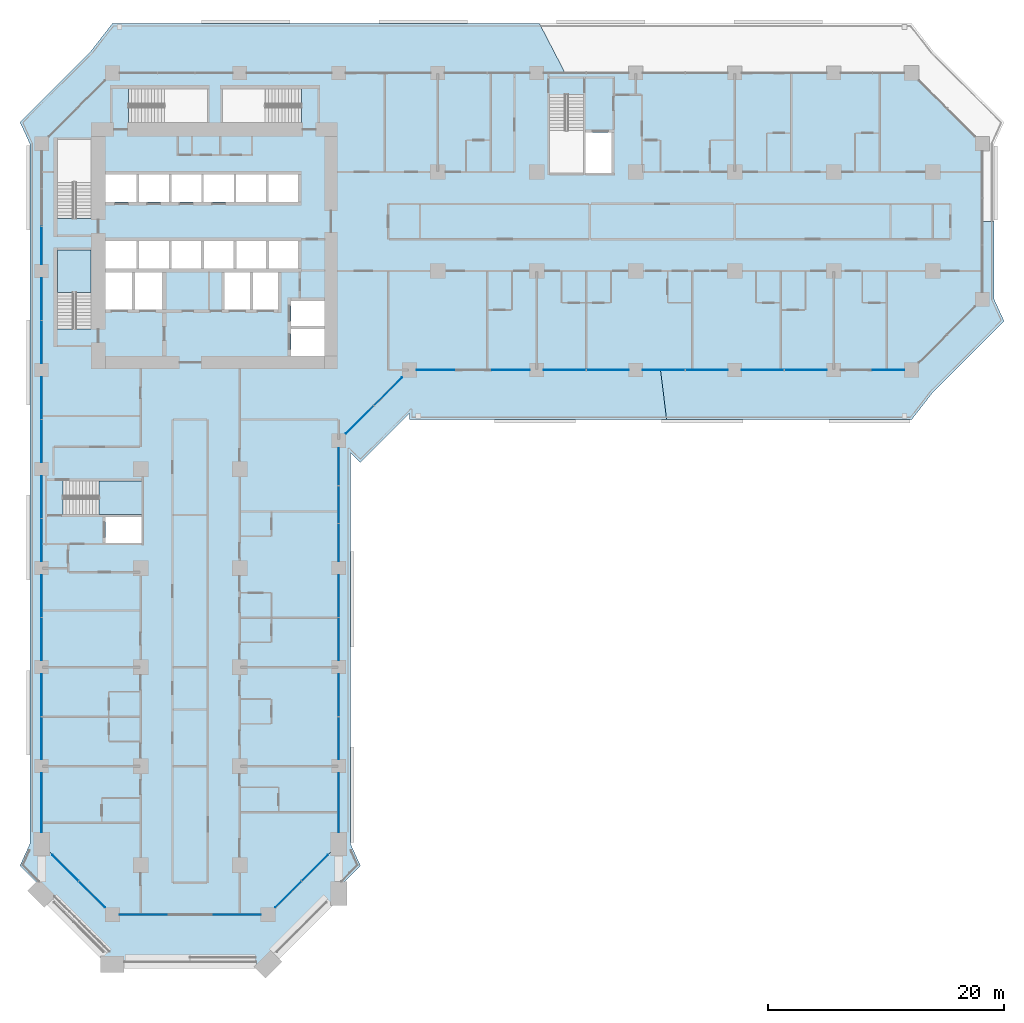
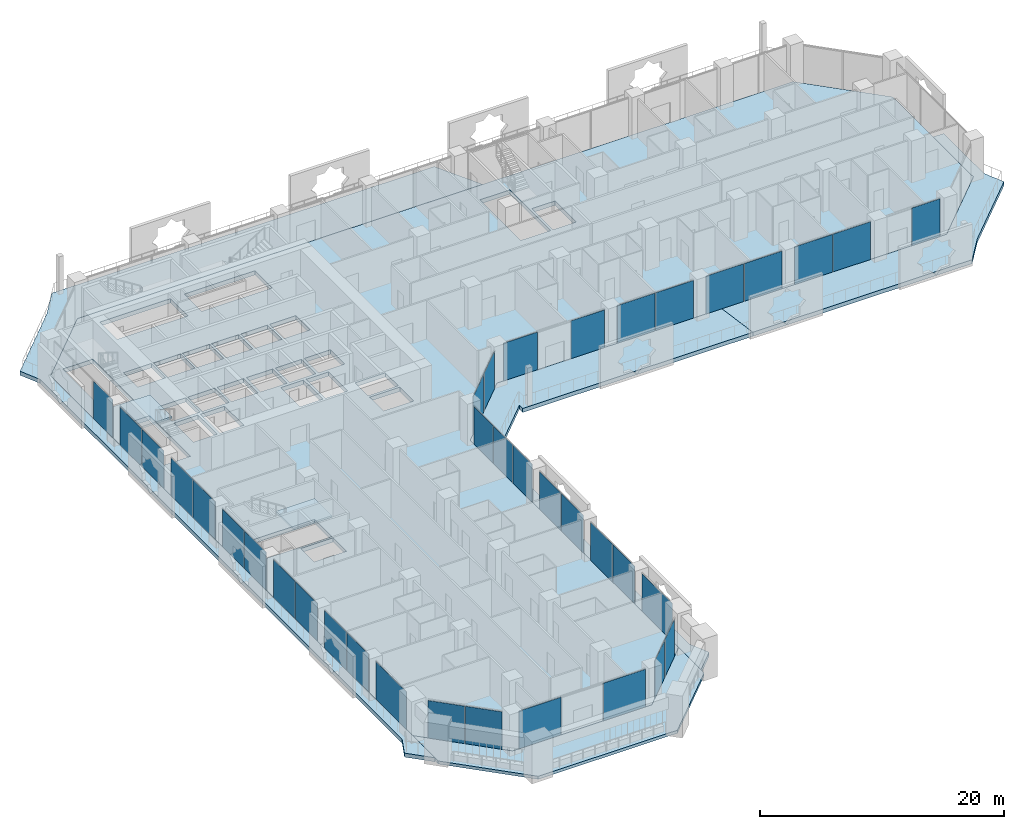
# One storey, part 11 of 26: 37 plates, 7 slabs, 9 elements without a shape of their own.
"""IFC4 building model written with IfcOpenShell, lengths in metres."""

import ifcopenshell
import ifcopenshell.guid

model = None  # the IFC model being written
_history = None  # IfcOwnerHistory: only IFC2X3 demands one
_inside = {}  # id of a spatial element -> (the spatial element, [elements in it])
_under = {}  # id of a project, library or spatial element -> (it, [spatial elements below it])
_declared = {}  # id of a project -> (the project, [libraries it declares])
_typed = {}  # id of a type object -> (the type object, [elements of that type])
_made_of = {}  # id of a material, layer set ... -> (it, [elements and type objects made of it])


def new_model(schema):
    """Start an empty IFC model of exactly this schema.

    Asked for "IFC4X3", IfcOpenShell would pick the latest addendum, in which some entities
    have other attributes; the version numbers below select the first issue.
    IFC2X3 requires an IfcOwnerHistory on every rooted entity: one is made here for all.
    """
    global model, _history
    if schema == "IFC4X3":
        model = ifcopenshell.file(schema_version=(4, 3, 0, 0))
    else:
        model = ifcopenshell.file(schema=schema)
    _inside.clear()
    _under.clear()
    _declared.clear()
    _typed.clear()
    _made_of.clear()
    _history = None
    if model.schema == "IFC2X3":
        org = make("IfcOrganization", Name="unknown")
        user = make(
            "IfcPersonAndOrganization",
            ThePerson=make("IfcPerson", FamilyName="unknown"),
            TheOrganization=org,
        )
        app = make(
            "IfcApplication",
            ApplicationDeveloper=org,
            Version="unknown",
            ApplicationFullName="unknown",
            ApplicationIdentifier="unknown",
        )
        _history = make(
            "IfcOwnerHistory",
            OwningUser=user,
            OwningApplication=app,
            ChangeAction="ADDED",
            CreationDate=0,
        )
    return model


def make(cls, **values):
    """One entity of the class cls with the attributes given. An attribute that is None is left unset."""
    return model.create_entity(
        cls, **{name: value for name, value in values.items() if value is not None}
    )


def rooted(cls, **values):
    """An entity with a GlobalId (a new one), such as an element, a storey or a relation."""
    return make(cls, GlobalId=ifcopenshell.guid.new(), OwnerHistory=_history, **values)


def si_unit(unit_type, name, prefix=None):
    """IfcSIUnit, for example si_unit("LENGTHUNIT", "METRE", prefix="MILLI")."""
    return make("IfcSIUnit", UnitType=unit_type, Prefix=prefix, Name=name)


def assignment(units):
    """IfcUnitAssignment: the units of a project."""
    return None if units is None else make("IfcUnitAssignment", Units=units)


def point(xyz):
    """IfcCartesianPoint."""
    return None if xyz is None else make("IfcCartesianPoint", Coordinates=xyz)


def direction(xyz):
    """IfcDirection."""
    return None if xyz is None else make("IfcDirection", DirectionRatios=xyz)


def frame(location, z_axis=None, x_axis=None):
    """IfcAxis2Placement3D, a coordinate frame: its origin and axes. An axis left out is left unset."""
    return make(
        "IfcAxis2Placement3D",
        Location=point(location),
        Axis=direction(z_axis),
        RefDirection=direction(x_axis),
    )


def frame_2d(location, x_axis=None):
    """IfcAxis2Placement2D, a coordinate frame in the plane: its origin and x axis."""
    return make(
        "IfcAxis2Placement2D", Location=point(location), RefDirection=direction(x_axis)
    )


def origin():
    """The frame at (0, 0, 0) with its axes left unset."""
    return frame((0.0, 0.0, 0.0))


def origin_2d():
    """The frame at (0, 0) in the plane with its x axis left unset."""
    return frame_2d((0.0, 0.0))


def place(relative_to, where):
    """IfcLocalPlacement: puts the frame where relative to a parent placement (None: the world)."""
    return make(
        "IfcLocalPlacement", PlacementRelTo=relative_to, RelativePlacement=where
    )


def context(
    kind, dimensions, precision=None, world=None, true_north=None, identifier=None
):
    """IfcGeometricRepresentationContext, for example the 3D "Model" context."""
    return make(
        "IfcGeometricRepresentationContext",
        ContextIdentifier=identifier,
        ContextType=kind,
        CoordinateSpaceDimension=dimensions,
        Precision=precision,
        WorldCoordinateSystem=world,
        TrueNorth=true_north,
    )


def subcontext(parent, identifier, kind, view, scale=None):
    """IfcGeometricRepresentationSubContext, for example "Body" below "Model"."""
    return make(
        "IfcGeometricRepresentationSubContext",
        ContextIdentifier=identifier,
        ContextType=kind,
        ParentContext=parent,
        TargetScale=scale,
        TargetView=view,
    )


def project(units=None, contexts=None):
    """IfcProject with its units and contexts."""
    return rooted(
        "IfcProject",
        Name="project",
        RepresentationContexts=contexts,
        UnitsInContext=assignment(units),
    )


def spatial(cls, under=None, at=None, **own):
    """A site, building, storey or space (cls), placed at a placement, below another one or the project."""
    s = rooted(cls, ObjectPlacement=at, **own)
    if under is not None:
        _under.setdefault(under.id(), (under, []))[1].append(s)
    return s


def polyline(points):
    """IfcPolyline through the points."""
    return make("IfcPolyline", Points=[point(p) for p in points])


def profile(cls, at=None, kind="AREA", **sizes):
    """A parametric profile (cls). Its sizes go by their IFC names, for example OverallWidth=200.0."""
    return make(cls, ProfileType=kind, Position=at, **sizes)


def rectangle(**sizes):
    """IfcRectangleProfileDef."""
    return profile("IfcRectangleProfileDef", **sizes)


def outline(outer, holes=None, kind="AREA"):
    """IfcArbitraryClosedProfileDef: a profile drawn as a closed curve; with holes, ...WithVoids."""
    if holes is None:
        return make("IfcArbitraryClosedProfileDef", ProfileType=kind, OuterCurve=outer)
    return make(
        "IfcArbitraryProfileDefWithVoids",
        ProfileType=kind,
        OuterCurve=outer,
        InnerCurves=holes,
    )


def extrude(swept, where, along, depth):
    """IfcExtrudedAreaSolid: the profile swept, set in the frame where, extruded along a direction by depth."""
    return make(
        "IfcExtrudedAreaSolid",
        SweptArea=swept,
        Position=where,
        ExtrudedDirection=direction(along),
        Depth=depth,
    )


def shape(context_of_items, identifier, shape_type, items):
    """IfcShapeRepresentation: the items that make up one representation, for example the "Body"."""
    return make(
        "IfcShapeRepresentation",
        ContextOfItems=context_of_items,
        RepresentationIdentifier=identifier,
        RepresentationType=shape_type,
        Items=items,
    )


def material(Name=None, Category=None):
    """IfcMaterial."""
    return make("IfcMaterial", Name=Name, Category=Category)


def layer(
    of_material, thickness, ventilated=None, Name=None, Category=None, Priority=None
):
    """IfcMaterialLayer: one layer of a wall or slab, of a material (None: an air gap)."""
    return make(
        "IfcMaterialLayer",
        Material=of_material,
        LayerThickness=thickness,
        IsVentilated=ventilated,
        Name=Name,
        Category=Category,
        Priority=Priority,
    )


def layer_set(layers, Name=None):
    """IfcMaterialLayerSet."""
    return make("IfcMaterialLayerSet", MaterialLayers=layers, LayerSetName=Name)


def made_of(thing, what):
    """Note that an element or type object is made of a material, layer set ...; save() writes the relation."""
    if what is not None:
        _made_of.setdefault(what.id(), (what, []))[1].append(thing)
    return thing


def type_object(cls, material=None, **own):
    """A type object (cls), such as IfcWallType, which elements share."""
    return made_of(rooted(cls, **own), material)


def element(
    cls,
    number,
    at=None,
    inside=None,
    cuts=None,
    type_object=None,
    material=None,
    context=None,
    identifier="Body",
    shape_type=None,
    held_by="IfcProductDefinitionShape",
    body=None,
    shapes=None,
    **own,
):
    """One element of the class cls, such as IfcWall. Its Tag is "e" and its number.

    at: its placement. inside: the storey or other place that contains it. cuts: it is an
    opening in that element (IfcRelVoidsElement). A single representation is given by context,
    identifier, shape_type and body (its items); several are given by shapes. held_by: the class
    of the entity that holds the representations. save() writes the other relations.
    """
    e = rooted(cls, Tag="e%d" % number, ObjectPlacement=at, **own)
    if body is not None:
        shapes = [shape(context, identifier, shape_type, body)]
    if shapes is not None:
        e.Representation = make(held_by, Representations=shapes)
    if inside is not None:
        _inside.setdefault(inside.id(), (inside, []))[1].append(e)
    if cuts is not None:
        rooted(
            "IfcRelVoidsElement", RelatingBuildingElement=cuts, RelatedOpeningElement=e
        )
    if type_object is not None:
        _typed.setdefault(type_object.id(), (type_object, []))[1].append(e)
    return made_of(e, material)


def aggregate(whole, parts):
    """IfcRelAggregates: a whole, such as a stair, and the parts it consists of."""
    return rooted("IfcRelAggregates", RelatingObject=whole, RelatedObjects=parts)


def save(model, path):
    """Write the relations noted so far, then the file.

    IfcRelAggregates (storeys below a building ...), IfcRelContainedInSpatialStructure (elements
    in a storey), IfcRelDefinesByType, IfcRelAssociatesMaterial and IfcRelDeclares: one each for
    every whole, place, type object, material and project.
    """
    for whole, parts in _under.values():
        aggregate(whole, parts)
    for where, things in _inside.values():
        rooted(
            "IfcRelContainedInSpatialStructure",
            RelatedElements=things,
            RelatingStructure=where,
        )
    for kind, things in _typed.values():
        rooted("IfcRelDefinesByType", RelatedObjects=things, RelatingType=kind)
    for what, things in _made_of.values():
        rooted("IfcRelAssociatesMaterial", RelatedObjects=things, RelatingMaterial=what)
    for by, libraries in _declared.values():
        rooted("IfcRelDeclares", RelatingContext=by, RelatedDefinitions=libraries)
    model.write(path)


model = new_model("IFC4")

# Units and contexts
model_context = context("Model", 3, precision=1e-05, world=origin(), true_north=direction((0.0, 1.0)))
body_context = subcontext(model_context, "Body", "Model", "MODEL_VIEW")
ifc_project = project(units=[si_unit("LENGTHUNIT", "METRE"), si_unit("AREAUNIT", "SQUARE_METRE"), si_unit("VOLUMEUNIT", "CUBIC_METRE"), si_unit("PLANEANGLEUNIT", "RADIAN"), si_unit("MASSUNIT", "GRAM", prefix="KILO")], contexts=[model_context])

# Site, building, storey
site_placement = place(None, origin())
site = spatial("IfcSite", under=ifc_project, at=site_placement, CompositionType="ELEMENT")
building_placement = place(site_placement, origin())
building = spatial("IfcBuilding", under=site, at=building_placement, Name="Kawkab Arch Medical Tower", CompositionType="ELEMENT")
storey_placement = place(building_placement, frame((0.0, 0.0, 51.800048828125)))
storey = spatial("IfcBuildingStorey", under=building, at=storey_placement, Name="L11", CompositionType="ELEMENT", Elevation=51.800048828125)

# Curtain wall, plates
ifc_material_1 = material(Name="Bronze anodised aluminium curtain wall frame", Category="aluminium")
ifc_layer_1 = layer(ifc_material_1, 0.159912109375)
ifc_layer_set_1 = layer_set([ifc_layer_1], Name="Bronze anodised aluminium curtain wall frame")
curtain_wall_type_1 = type_object("IfcCurtainWallType", Name="CW1 ward curtain wall", PredefinedType="NOTDEFINED", material=ifc_layer_set_1)
placement_1 = place(storey_placement, origin())
curtain_wall_1 = element("IfcCurtainWall", 1, at=placement_1, inside=storey, type_object=curtain_wall_type_1, Name="CW1 Ward curtain wall R01", PredefinedType="NOTDEFINED")
ifc_material_2 = material(Name="Tinted insulating glass, bronze low-e coating", Category="glass")
ifc_layer_2 = layer(ifc_material_2, 0.031982421875)
ifc_layer_set_2 = layer_set([ifc_layer_2], Name="Tinted insulating glass, bronze low-e coating")
plate_type_1 = type_object("IfcPlateType", Name="CW1 glazing unit 32", PredefinedType="CURTAIN_PANEL", material=ifc_layer_set_2)
plate_1_placement = place(storey_placement, frame((0.0, -14.619140625, 0.0), z_axis=(0.0, 0.0, 1.0), x_axis=(0.0, -1.0, 0.0)))
plate_1 = element("IfcPlate", 2, at=plate_1_placement, type_object=plate_type_1, Name="CW1 glazing unit 1.3", PredefinedType="CURTAIN_PANEL", context=body_context, shape_type="SweptSolid", body=[
    extrude(rectangle(XDim=3.16162109375, YDim=0.031982421875, at=origin_2d()), origin(), (0.0, 0.0, 1.0), 3.780029296875),
])
plate_2_placement = place(storey_placement, frame((0.0, -19.18505859375, 0.0), z_axis=(0.0, 0.0, 1.0), x_axis=(0.0, -1.0, 0.0)))
plate_2 = element("IfcPlate", 3, at=plate_2_placement, type_object=plate_type_1, Name="CW1 glazing unit 2.1", PredefinedType="CURTAIN_PANEL", context=body_context, shape_type="SweptSolid", body=[
    extrude(rectangle(XDim=3.570068359375, YDim=0.031982421875, at=origin_2d()), origin(), (0.0, 0.0, 1.0), 3.780029296875),
])
plate_3_placement = place(storey_placement, frame((0.0, -22.81494140625, 0.0), z_axis=(0.0, 0.0, 1.0), x_axis=(0.0, -1.0, 0.0)))
plate_3 = element("IfcPlate", 4, at=plate_3_placement, type_object=plate_type_1, Name="CW1 glazing unit 2.2", PredefinedType="CURTAIN_PANEL", context=body_context, shape_type="SweptSolid", body=[
    extrude(rectangle(XDim=3.570068359375, YDim=0.031982421875, at=origin_2d()), origin(), (0.0, 0.0, 1.0), 3.780029296875),
])
plate_4_placement = place(storey_placement, frame((0.0, -27.5849609375, 0.0), z_axis=(0.0, 0.0, 1.0), x_axis=(0.0, -1.0, 0.0)))
plate_4 = element("IfcPlate", 5, at=plate_4_placement, type_object=plate_type_1, Name="CW1 glazing unit 3.1", PredefinedType="CURTAIN_PANEL", context=body_context, shape_type="SweptSolid", body=[
    extrude(rectangle(XDim=3.570068359375, YDim=0.031982421875, at=origin_2d()), origin(), (0.0, 0.0, 1.0), 3.780029296875),
])
plate_5_placement = place(storey_placement, frame((0.0, -31.215087890625, 0.0), z_axis=(0.0, 0.0, 1.0), x_axis=(0.0, -1.0, 0.0)))
plate_5 = element("IfcPlate", 6, at=plate_5_placement, type_object=plate_type_1, Name="CW1 glazing unit 3.2", PredefinedType="CURTAIN_PANEL", context=body_context, shape_type="SweptSolid", body=[
    extrude(rectangle(XDim=3.570068359375, YDim=0.031982421875, at=origin_2d()), origin(), (0.0, 0.0, 1.0), 3.780029296875),
])
plate_6_placement = place(storey_placement, frame((0.0, -35.985107421875, 0.0), z_axis=(0.0, 0.0, 1.0), x_axis=(0.0, -1.0, 0.0)))
plate_6 = element("IfcPlate", 7, at=plate_6_placement, type_object=plate_type_1, Name="CW1 glazing unit 4.1", PredefinedType="CURTAIN_PANEL", context=body_context, shape_type="SweptSolid", body=[
    extrude(rectangle(XDim=3.570068359375, YDim=0.031982421875, at=origin_2d()), origin(), (0.0, 0.0, 1.0), 3.780029296875),
])
plate_7_placement = place(storey_placement, frame((0.0, -39.614990234375, 0.0), z_axis=(0.0, 0.0, 1.0), x_axis=(0.0, -1.0, 0.0)))
plate_7 = element("IfcPlate", 8, at=plate_7_placement, type_object=plate_type_1, Name="CW1 glazing unit 4.2", PredefinedType="CURTAIN_PANEL", context=body_context, shape_type="SweptSolid", body=[
    extrude(rectangle(XDim=3.570068359375, YDim=0.031982421875, at=origin_2d()), origin(), (0.0, 0.0, 1.0), 3.780029296875),
])
plate_8_placement = place(storey_placement, frame((0.0, -44.385009765625, 0.0), z_axis=(0.0, 0.0, 1.0), x_axis=(0.0, -1.0, 0.0)))
plate_8 = element("IfcPlate", 9, at=plate_8_placement, type_object=plate_type_1, Name="CW1 glazing unit 5.1", PredefinedType="CURTAIN_PANEL", context=body_context, shape_type="SweptSolid", body=[
    extrude(rectangle(XDim=3.570068359375, YDim=0.031982421875, at=origin_2d()), origin(), (0.0, 0.0, 1.0), 3.780029296875),
])
plate_9_placement = place(storey_placement, frame((0.0, -48.014892578125, 0.0), z_axis=(0.0, 0.0, 1.0), x_axis=(0.0, -1.0, 0.0)))
plate_9 = element("IfcPlate", 10, at=plate_9_placement, type_object=plate_type_1, Name="CW1 glazing unit 5.2", PredefinedType="CURTAIN_PANEL", context=body_context, shape_type="SweptSolid", body=[
    extrude(rectangle(XDim=3.570068359375, YDim=0.031982421875, at=origin_2d()), origin(), (0.0, 0.0, 1.0), 3.780029296875),
])
plate_10_placement = place(storey_placement, frame((0.0, -52.784912109375, 0.0), z_axis=(0.0, 0.0, 1.0), x_axis=(0.0, -1.0, 0.0)))
plate_10 = element("IfcPlate", 11, at=plate_10_placement, type_object=plate_type_1, Name="CW1 glazing unit 6.1", PredefinedType="CURTAIN_PANEL", context=body_context, shape_type="SweptSolid", body=[
    extrude(rectangle(XDim=3.570068359375, YDim=0.031982421875, at=origin_2d()), origin(), (0.0, 0.0, 1.0), 3.780029296875),
])
plate_11_placement = place(storey_placement, frame((0.0, -56.4150390625, 0.0), z_axis=(0.0, 0.0, 1.0), x_axis=(0.0, -1.0, 0.0)))
plate_11 = element("IfcPlate", 12, at=plate_11_placement, type_object=plate_type_1, Name="CW1 glazing unit 6.2", PredefinedType="CURTAIN_PANEL", context=body_context, shape_type="SweptSolid", body=[
    extrude(rectangle(XDim=3.570068359375, YDim=0.031982421875, at=origin_2d()), origin(), (0.0, 0.0, 1.0), 3.780029296875),
])
plate_12_placement = place(storey_placement, frame((0.0, -61.89990234375, 0.0), z_axis=(0.0, 0.0, 1.0), x_axis=(0.0, -1.0, 0.0)))
plate_12 = element("IfcPlate", 13, at=plate_12_placement, type_object=plate_type_1, Name="CW1 glazing unit 7.1", PredefinedType="CURTAIN_PANEL", context=body_context, shape_type="SweptSolid", body=[
    extrude(rectangle(XDim=5.0, YDim=0.031982421875, at=origin_2d()), origin(), (0.0, 0.0, 1.0), 3.780029296875),
])
aggregate(curtain_wall_1, [plate_1, plate_2, plate_3, plate_4, plate_5, plate_6, plate_7, plate_8, plate_9, plate_10, plate_11, plate_12])

curtain_wall_2 = element("IfcCurtainWall", 14, at=placement_1, inside=storey, type_object=curtain_wall_type_1, Name="CW1 Ward curtain wall R03", PredefinedType="NOTDEFINED")
plate_13_placement = place(storey_placement, frame((8.61669921875, -71.39990234375, 0.0), z_axis=(0.0, 0.0, 1.0), x_axis=(1.0, 0.0, 0.0)))
plate_13 = element("IfcPlate", 15, at=plate_13_placement, type_object=plate_type_1, Name="CW1 glazing unit 1.1", PredefinedType="CURTAIN_PANEL", context=body_context, shape_type="SweptSolid", body=[
    extrude(rectangle(XDim=3.9833984375, YDim=0.031982421875, at=origin_2d()), origin(), (0.0, 0.0, 1.0), 3.780029296875),
])
plate_14_placement = place(storey_placement, frame((16.583251953125, -71.39990234375, 0.0), z_axis=(0.0, 0.0, 1.0), x_axis=(1.0, 0.0, 0.0)))
plate_14 = element("IfcPlate", 16, at=plate_14_placement, type_object=plate_type_1, Name="CW1 glazing unit 1.3", PredefinedType="CURTAIN_PANEL", context=body_context, shape_type="SweptSolid", body=[
    extrude(rectangle(XDim=3.9833984375, YDim=0.031982421875, at=origin_2d()), origin(), (0.0, 0.0, 1.0), 3.780029296875),
])
aggregate(curtain_wall_2, [plate_13, plate_14])

curtain_wall_3 = element("IfcCurtainWall", 17, at=placement_1, inside=storey, type_object=curtain_wall_type_1, Name="CW1 Ward curtain wall R05", PredefinedType="NOTDEFINED")
plate_15_placement = place(storey_placement, frame((25.199951171875, -61.89990234375, 0.0), z_axis=(0.0, 0.0, 1.0), x_axis=(0.0, 1.0, 0.0)))
plate_15 = element("IfcPlate", 18, at=plate_15_placement, type_object=plate_type_1, Name="CW1 glazing unit 1.1", PredefinedType="CURTAIN_PANEL", context=body_context, shape_type="SweptSolid", body=[
    extrude(rectangle(XDim=5.0, YDim=0.031982421875, at=origin_2d()), origin(), (0.0, 0.0, 1.0), 3.780029296875),
])
plate_16_placement = place(storey_placement, frame((25.199951171875, -56.4150390625, 0.0), z_axis=(0.0, 0.0, 1.0), x_axis=(0.0, 1.0, 0.0)))
plate_16 = element("IfcPlate", 19, at=plate_16_placement, type_object=plate_type_1, Name="CW1 glazing unit 2.1", PredefinedType="CURTAIN_PANEL", context=body_context, shape_type="SweptSolid", body=[
    extrude(rectangle(XDim=3.570068359375, YDim=0.031982421875, at=origin_2d()), origin(), (0.0, 0.0, 1.0), 3.780029296875),
])
plate_17_placement = place(storey_placement, frame((25.199951171875, -52.784912109375, 0.0), z_axis=(0.0, 0.0, 1.0), x_axis=(0.0, 1.0, 0.0)))
plate_17 = element("IfcPlate", 20, at=plate_17_placement, type_object=plate_type_1, Name="CW1 glazing unit 2.2", PredefinedType="CURTAIN_PANEL", context=body_context, shape_type="SweptSolid", body=[
    extrude(rectangle(XDim=3.570068359375, YDim=0.031982421875, at=origin_2d()), origin(), (0.0, 0.0, 1.0), 3.780029296875),
])
plate_18_placement = place(storey_placement, frame((25.199951171875, -48.014892578125, 0.0), z_axis=(0.0, 0.0, 1.0), x_axis=(0.0, 1.0, 0.0)))
plate_18 = element("IfcPlate", 21, at=plate_18_placement, type_object=plate_type_1, Name="CW1 glazing unit 3.1", PredefinedType="CURTAIN_PANEL", context=body_context, shape_type="SweptSolid", body=[
    extrude(rectangle(XDim=3.570068359375, YDim=0.031982421875, at=origin_2d()), origin(), (0.0, 0.0, 1.0), 3.780029296875),
])
plate_19_placement = place(storey_placement, frame((25.199951171875, -44.385009765625, 0.0), z_axis=(0.0, 0.0, 1.0), x_axis=(0.0, 1.0, 0.0)))
plate_19 = element("IfcPlate", 22, at=plate_19_placement, type_object=plate_type_1, Name="CW1 glazing unit 3.2", PredefinedType="CURTAIN_PANEL", context=body_context, shape_type="SweptSolid", body=[
    extrude(rectangle(XDim=3.570068359375, YDim=0.031982421875, at=origin_2d()), origin(), (0.0, 0.0, 1.0), 3.780029296875),
])
plate_20_placement = place(storey_placement, frame((25.199951171875, -39.819091796875, 0.0), z_axis=(0.0, 0.0, 1.0), x_axis=(0.0, 1.0, 0.0)))
plate_20 = element("IfcPlate", 23, at=plate_20_placement, type_object=plate_type_1, Name="CW1 glazing unit 4.1", PredefinedType="CURTAIN_PANEL", context=body_context, shape_type="SweptSolid", body=[
    extrude(rectangle(XDim=3.16162109375, YDim=0.031982421875, at=origin_2d()), origin(), (0.0, 0.0, 1.0), 3.780029296875),
])
plate_21_placement = place(storey_placement, frame((25.199951171875, -36.612548828125, 0.0), z_axis=(0.0, 0.0, 1.0), x_axis=(0.0, 1.0, 0.0)))
plate_21 = element("IfcPlate", 24, at=plate_21_placement, type_object=plate_type_1, Name="CW1 glazing unit 4.2", PredefinedType="CURTAIN_PANEL", context=body_context, shape_type="SweptSolid", body=[
    extrude(rectangle(XDim=3.131591796875, YDim=0.031982421875, at=origin_2d()), origin(), (0.0, 0.0, 1.0), 3.780029296875),
])
plate_22_placement = place(storey_placement, frame((25.199951171875, -33.40576171875, 0.0), z_axis=(0.0, 0.0, 1.0), x_axis=(0.0, 1.0, 0.0)))
plate_22 = element("IfcPlate", 25, at=plate_22_placement, type_object=plate_type_1, Name="CW1 glazing unit 4.3", PredefinedType="CURTAIN_PANEL", context=body_context, shape_type="SweptSolid", body=[
    extrude(rectangle(XDim=3.16162109375, YDim=0.031982421875, at=origin_2d()), origin(), (0.0, 0.0, 1.0), 3.780029296875),
])
aggregate(curtain_wall_3, [plate_15, plate_16, plate_17, plate_18, plate_19, plate_20, plate_21, plate_22])

curtain_wall_4 = element("IfcCurtainWall", 26, at=placement_1, inside=storey, type_object=curtain_wall_type_1, Name="CW1 Ward curtain wall R07", PredefinedType="NOTDEFINED")
plate_23_placement = place(storey_placement, frame((33.4208984375, -25.199951171875, 0.0), z_axis=(0.0, 0.0, 1.0), x_axis=(1.0, 0.0, 0.0)))
plate_23 = element("IfcPlate", 27, at=plate_23_placement, type_object=plate_type_1, Name="CW1 glazing unit 1.1", PredefinedType="CURTAIN_PANEL", context=body_context, shape_type="SweptSolid", body=[
    extrude(rectangle(XDim=3.191650390625, YDim=0.031982421875, at=origin_2d()), origin(), (0.0, 0.0, 1.0), 3.780029296875),
])
plate_24_placement = place(storey_placement, frame((39.80419921875, -25.199951171875, 0.0), z_axis=(0.0, 0.0, 1.0), x_axis=(1.0, 0.0, 0.0)))
plate_24 = element("IfcPlate", 28, at=plate_24_placement, type_object=plate_type_1, Name="CW1 glazing unit 1.3", PredefinedType="CURTAIN_PANEL", context=body_context, shape_type="SweptSolid", body=[
    extrude(rectangle(XDim=3.191650390625, YDim=0.031982421875, at=origin_2d()), origin(), (0.0, 0.0, 1.0), 3.780029296875),
])
plate_25_placement = place(storey_placement, frame((44.385009765625, -25.199951171875, 0.0), z_axis=(0.0, 0.0, 1.0), x_axis=(1.0, 0.0, 0.0)))
plate_25 = element("IfcPlate", 29, at=plate_25_placement, type_object=plate_type_1, Name="CW1 glazing unit 2.1", PredefinedType="CURTAIN_PANEL", context=body_context, shape_type="SweptSolid", body=[
    extrude(rectangle(XDim=3.570068359375, YDim=0.031982421875, at=origin_2d()), origin(), (0.0, 0.0, 1.0), 3.780029296875),
])
plate_26_placement = place(storey_placement, frame((48.014892578125, -25.199951171875, 0.0), z_axis=(0.0, 0.0, 1.0), x_axis=(1.0, 0.0, 0.0)))
plate_26 = element("IfcPlate", 30, at=plate_26_placement, type_object=plate_type_1, Name="CW1 glazing unit 2.2", PredefinedType="CURTAIN_PANEL", context=body_context, shape_type="SweptSolid", body=[
    extrude(rectangle(XDim=3.570068359375, YDim=0.031982421875, at=origin_2d()), origin(), (0.0, 0.0, 1.0), 3.780029296875),
])
plate_27_placement = place(storey_placement, frame((52.784912109375, -25.199951171875, 0.0), z_axis=(0.0, 0.0, 1.0), x_axis=(1.0, 0.0, 0.0)))
plate_27 = element("IfcPlate", 31, at=plate_27_placement, type_object=plate_type_1, Name="CW1 glazing unit 3.1", PredefinedType="CURTAIN_PANEL", context=body_context, shape_type="SweptSolid", body=[
    extrude(rectangle(XDim=3.570068359375, YDim=0.031982421875, at=origin_2d()), origin(), (0.0, 0.0, 1.0), 3.780029296875),
])
plate_28_placement = place(storey_placement, frame((56.4150390625, -25.199951171875, 0.0), z_axis=(0.0, 0.0, 1.0), x_axis=(1.0, 0.0, 0.0)))
plate_28 = element("IfcPlate", 32, at=plate_28_placement, type_object=plate_type_1, Name="CW1 glazing unit 3.2", PredefinedType="CURTAIN_PANEL", context=body_context, shape_type="SweptSolid", body=[
    extrude(rectangle(XDim=3.570068359375, YDim=0.031982421875, at=origin_2d()), origin(), (0.0, 0.0, 1.0), 3.780029296875),
])
plate_29_placement = place(storey_placement, frame((61.18505859375, -25.199951171875, 0.0), z_axis=(0.0, 0.0, 1.0), x_axis=(1.0, 0.0, 0.0)))
plate_29 = element("IfcPlate", 33, at=plate_29_placement, type_object=plate_type_1, Name="CW1 glazing unit 4.1", PredefinedType="CURTAIN_PANEL", context=body_context, shape_type="SweptSolid", body=[
    extrude(rectangle(XDim=3.570068359375, YDim=0.031982421875, at=origin_2d()), origin(), (0.0, 0.0, 1.0), 3.780029296875),
])
plate_30_placement = place(storey_placement, frame((64.81494140625, -25.199951171875, 0.0), z_axis=(0.0, 0.0, 1.0), x_axis=(1.0, 0.0, 0.0)))
plate_30 = element("IfcPlate", 34, at=plate_30_placement, type_object=plate_type_1, Name="CW1 glazing unit 4.2", PredefinedType="CURTAIN_PANEL", context=body_context, shape_type="SweptSolid", body=[
    extrude(rectangle(XDim=3.570068359375, YDim=0.031982421875, at=origin_2d()), origin(), (0.0, 0.0, 1.0), 3.780029296875),
])
plate_31_placement = place(storey_placement, frame((71.831298828125, -25.199951171875, 0.0), z_axis=(0.0, 0.0, 1.0), x_axis=(1.0, 0.0, 0.0)))
plate_31 = element("IfcPlate", 35, at=plate_31_placement, type_object=plate_type_1, Name="CW1 glazing unit 5.2", PredefinedType="CURTAIN_PANEL", context=body_context, shape_type="SweptSolid", body=[
    extrude(rectangle(XDim=2.6875, YDim=0.031982421875, at=origin_2d()), origin(), (0.0, 0.0, 1.0), 3.780029296875),
])
aggregate(curtain_wall_4, [plate_23, plate_24, plate_25, plate_26, plate_27, plate_28, plate_29, plate_30, plate_31])

ifc_material_3 = material(Name="Bronze anodised aluminium curtain wall frame", Category="aluminium")
ifc_layer_3 = layer(ifc_material_3, 0.159912109375)
ifc_layer_set_3 = layer_set([ifc_layer_3], Name="Bronze anodised aluminium curtain wall frame")
curtain_wall_type_2 = type_object("IfcCurtainWallType", Name="CW2 chamfer curtain wall", PredefinedType="NOTDEFINED", material=ifc_layer_set_3)
curtain_wall_5 = element("IfcCurtainWall", 36, at=placement_1, inside=storey, type_object=curtain_wall_type_2, Name="CW2 Chamfer curtain wall R02", PredefinedType="NOTDEFINED")
ifc_material_4 = material(Name="Tinted insulating glass, bronze low-e coating", Category="glass")
ifc_layer_4 = layer(ifc_material_4, 0.031982421875)
ifc_layer_set_4 = layer_set([ifc_layer_4], Name="Tinted insulating glass, bronze low-e coating")
plate_type_2 = type_object("IfcPlateType", Name="CW2 glazing unit 32", PredefinedType="CURTAIN_PANEL", material=ifc_layer_set_4)
plate_32_placement = place(storey_placement, frame((2.031005859375, -67.430908203125, 0.0), z_axis=(0.0, 0.0, 1.0), x_axis=(0.707106781187, -0.707106781187, 0.0)))
plate_32 = element("IfcPlate", 37, at=plate_32_placement, type_object=plate_type_2, Name="CW2 glazing unit 1.1", PredefinedType="CURTAIN_PANEL", context=body_context, shape_type="SweptSolid", body=[
    extrude(rectangle(XDim=3.11279296875, YDim=0.031982421875, at=origin_2d()), origin(), (0.0, 0.0, 1.0), 3.760009765625),
])
plate_33_placement = place(storey_placement, frame((4.2744140625, -69.674560546875, 0.0), z_axis=(0.0, 0.0, 1.0), x_axis=(0.707106781187, -0.707106781187, 0.0)))
plate_33 = element("IfcPlate", 38, at=plate_33_placement, type_object=plate_type_2, Name="CW2 glazing unit 1.2", PredefinedType="CURTAIN_PANEL", context=body_context, shape_type="SweptSolid", body=[
    extrude(rectangle(XDim=3.11279296875, YDim=0.031982421875, at=origin_2d()), origin(), (0.0, 0.0, 1.0), 3.760009765625),
])
aggregate(curtain_wall_5, [plate_32, plate_33])

curtain_wall_6 = element("IfcCurtainWall", 39, at=placement_1, inside=storey, type_object=curtain_wall_type_2, Name="CW2 Chamfer curtain wall R04", PredefinedType="NOTDEFINED")
plate_34_placement = place(storey_placement, frame((20.925537109375, -69.674560546875, 0.0), z_axis=(0.0, 0.0, 1.0), x_axis=(0.707106781187, 0.707106781187, 0.0)))
plate_34 = element("IfcPlate", 40, at=plate_34_placement, type_object=plate_type_2, Name="CW2 glazing unit 1.1", PredefinedType="CURTAIN_PANEL", context=body_context, shape_type="SweptSolid", body=[
    extrude(rectangle(XDim=3.11279296875, YDim=0.031982421875, at=origin_2d()), origin(), (0.0, 0.0, 1.0), 3.760009765625),
])
plate_35_placement = place(storey_placement, frame((23.169189453125, -67.430908203125, 0.0), z_axis=(0.0, 0.0, 1.0), x_axis=(0.707106781187, 0.707106781187, 0.0)))
plate_35 = element("IfcPlate", 41, at=plate_35_placement, type_object=plate_type_2, Name="CW2 glazing unit 1.2", PredefinedType="CURTAIN_PANEL", context=body_context, shape_type="SweptSolid", body=[
    extrude(rectangle(XDim=3.11279296875, YDim=0.031982421875, at=origin_2d()), origin(), (0.0, 0.0, 1.0), 3.760009765625),
])
aggregate(curtain_wall_6, [plate_34, plate_35])

curtain_wall_7 = element("IfcCurtainWall", 42, at=placement_1, inside=storey, type_object=curtain_wall_type_2, Name="CW2 Chamfer curtain wall R06", PredefinedType="NOTDEFINED")
plate_36_placement = place(storey_placement, frame((27.001953125, -29.398193359375, 0.0), z_axis=(0.0, 0.0, 1.0), x_axis=(0.707106781187, 0.707106781187, 0.0)))
plate_36 = element("IfcPlate", 43, at=plate_36_placement, type_object=plate_type_2, Name="CW2 glazing unit 1.1", PredefinedType="CURTAIN_PANEL", context=body_context, shape_type="SweptSolid", body=[
    extrude(rectangle(XDim=3.328857421875, YDim=0.031982421875, at=origin_2d()), origin(), (0.0, 0.0, 1.0), 3.760009765625),
])
plate_37_placement = place(storey_placement, frame((29.398193359375, -27.001953125, 0.0), z_axis=(0.0, 0.0, 1.0), x_axis=(0.707106781187, 0.707106781187, 0.0)))
plate_37 = element("IfcPlate", 44, at=plate_37_placement, type_object=plate_type_2, Name="CW2 glazing unit 1.2", PredefinedType="CURTAIN_PANEL", context=body_context, shape_type="SweptSolid", body=[
    extrude(rectangle(XDim=3.328857421875, YDim=0.031982421875, at=origin_2d()), origin(), (0.0, 0.0, 1.0), 3.760009765625),
])
aggregate(curtain_wall_7, [plate_36, plate_37])

# Stair, slab
ifc_material_5 = material(Name="Concrete C40/50", Category="concrete")
stair_type = type_object("IfcStairType", Name="Exit stair 1350", PredefinedType="HALF_TURN_STAIR", material=ifc_material_5)
stair_1 = element("IfcStair", 45, at=placement_1, inside=storey, type_object=stair_type, Name="L11 Exit stair ST2", PredefinedType="HALF_TURN_STAIR")
ifc_material_6 = material(Name="Concrete C40/50", Category="concrete")
ifc_layer_5 = layer(ifc_material_6, 0.199951171875)
ifc_layer_set_5 = layer_set([ifc_layer_5], Name="Concrete C40/50")
slab_type_1 = type_object("IfcSlabType", Name="Exit stair landing 200", PredefinedType="LANDING", material=ifc_layer_set_5)
placement_2 = place(storey_placement, frame((0.0, 0.0, 1.89990234375)))
slab_1 = element("IfcSlab", 46, at=placement_2, type_object=slab_type_1, Name="ST2 landing 1", PredefinedType="LANDING", context=body_context, shape_type="SweptSolid", body=[
    extrude(outline(polyline([(4.199951171875, -18.6201171875), (4.199951171875, -15.0), (1.35009765625, -15.0), (1.35009765625, -18.6201171875), (4.199951171875, -18.6201171875)])), origin(), (0.0, 0.0, 1.0), 0.199951171875),
])
aggregate(stair_1, [slab_1])

stair_2 = element("IfcStair", 47, at=placement_1, inside=storey, type_object=stair_type, Name="L11 Exit stair ST6", PredefinedType="HALF_TURN_STAIR")
slab_2 = element("IfcSlab", 48, at=placement_2, type_object=slab_type_1, Name="ST6 landing 1", PredefinedType="LANDING", context=body_context, shape_type="SweptSolid", body=[
    extrude(outline(polyline([(4.8798828125, -37.449951171875), (8.5, -37.449951171875), (8.5, -34.60009765625), (4.8798828125, -34.60009765625), (4.8798828125, -37.449951171875)])), origin(), (0.0, 0.0, 1.0), 0.199951171875),
])
aggregate(stair_2, [slab_2])

# Slabs
ifc_material_7 = material(Name="Concrete C45/55", Category="concrete")
ifc_layer_6 = layer(ifc_material_7, 0.419921875)
ifc_layer_set_6 = layer_set([ifc_layer_6], Name="Concrete C45/55")
slab_type_2 = type_object("IfcSlabType", Name="Flat plate 420 C45/55", PredefinedType="FLOOR", material=ifc_layer_set_6)
slab_3_placement = place(storey_placement, frame((0.0, 0.0, -0.420166015625)))
element("IfcSlab", 49, at=slab_3_placement, inside=storey, type_object=slab_type_2, Name="Floor slab L11", PredefinedType="FLOOR", context=body_context, shape_type="SweptSolid", body=[
    extrude(outline(polyline([(6.0, 0.0), (73.800048828125, 0.0), (79.800048828125, -6.0), (79.800048828125, -19.199951171875), (73.800048828125, -25.199951171875), (31.199951171875, -25.199951171875), (25.199951171875, -31.199951171875), (25.199951171875, -65.39990234375), (19.199951171875, -71.39990234375), (6.0, -71.39990234375), (0.0, -65.39990234375), (0.0, -6.0), (6.0, 0.0)]), holes=[polyline([(5.425048828125, -37.64990234375), (5.425048828125, -39.85009765625), (8.5, -39.85009765625), (8.5, -37.64990234375), (5.425048828125, -37.64990234375)]), polyline([(1.800048828125, -37.449951171875), (8.5, -37.449951171875), (8.5, -34.60009765625), (1.800048828125, -34.60009765625), (1.800048828125, -37.449951171875)]), polyline([(5.39990234375, -16.89990234375), (5.39990234375, -20.050048828125), (7.675048828125, -20.050048828125), (7.675048828125, -16.89990234375), (5.39990234375, -16.89990234375)]), polyline([(10.199951171875, -16.89990234375), (7.925048828125, -16.89990234375), (7.925048828125, -20.050048828125), (10.199951171875, -20.050048828125), (10.199951171875, -16.89990234375)]), polyline([(4.199951171875, -21.699951171875), (4.199951171875, -15.0), (1.35009765625, -15.0), (1.35009765625, -21.699951171875), (4.199951171875, -21.699951171875)]), polyline([(5.39990234375, -14.25), (5.39990234375, -16.60009765625), (8.050048828125, -16.60009765625), (8.050048828125, -14.25), (5.39990234375, -14.25)]), polyline([(10.800048828125, -14.25), (8.25, -14.25), (8.25, -16.60009765625), (10.800048828125, -16.60009765625), (10.800048828125, -14.25)]), polyline([(11.0, -14.25), (11.0, -16.60009765625), (13.52490234375, -16.60009765625), (13.52490234375, -14.25), (11.0, -14.25)]), polyline([(5.39990234375, -8.60009765625), (5.39990234375, -10.949951171875), (8.050048828125, -10.949951171875), (8.050048828125, -8.60009765625), (5.39990234375, -8.60009765625)]), polyline([(10.800048828125, -8.60009765625), (8.25, -8.60009765625), (8.25, -10.949951171875), (10.800048828125, -10.949951171875), (10.800048828125, -8.60009765625)]), polyline([(11.0, -10.949951171875), (13.550048828125, -10.949951171875), (13.550048828125, -8.60009765625), (11.0, -8.60009765625), (11.0, -10.949951171875)]), polyline([(4.199951171875, -12.35009765625), (4.199951171875, -5.64990234375), (1.35009765625, -5.64990234375), (1.35009765625, -12.35009765625), (4.199951171875, -12.35009765625)]), polyline([(7.35009765625, -4.199951171875), (14.050048828125, -4.199951171875), (14.050048828125, -1.35009765625), (7.35009765625, -1.35009765625), (7.35009765625, -4.199951171875)]), polyline([(24.0, -21.72509765625), (21.14990234375, -21.72509765625), (21.14990234375, -24.0), (24.0, -24.0), (24.0, -21.72509765625)]), polyline([(24.0, -21.47509765625), (24.0, -19.35009765625), (21.14990234375, -19.35009765625), (21.14990234375, -21.47509765625), (24.0, -21.47509765625)]), polyline([(15.52490234375, -16.89990234375), (15.52490234375, -20.050048828125), (17.675048828125, -20.050048828125), (17.675048828125, -16.89990234375), (15.52490234375, -16.89990234375)]), polyline([(17.925048828125, -20.050048828125), (20.050048828125, -20.050048828125), (20.050048828125, -16.89990234375), (17.925048828125, -16.89990234375), (17.925048828125, -20.050048828125)]), polyline([(16.27490234375, -14.25), (13.77490234375, -14.25), (13.77490234375, -16.60009765625), (16.27490234375, -16.60009765625), (16.27490234375, -14.25)]), polyline([(19.02490234375, -14.25), (16.52490234375, -14.25), (16.52490234375, -16.60009765625), (19.02490234375, -16.60009765625), (19.02490234375, -14.25)]), polyline([(19.27490234375, -16.60009765625), (21.75, -16.60009765625), (21.75, -14.25), (19.27490234375, -14.25), (19.27490234375, -16.60009765625)]), polyline([(13.75, -8.60009765625), (13.75, -10.949951171875), (16.300048828125, -10.949951171875), (16.300048828125, -8.60009765625), (13.75, -8.60009765625)]), polyline([(16.5, -8.60009765625), (16.5, -10.949951171875), (19.050048828125, -10.949951171875), (19.050048828125, -8.60009765625), (16.5, -8.60009765625)]), polyline([(19.25, -10.949951171875), (21.75, -10.949951171875), (21.75, -8.60009765625), (19.25, -8.60009765625), (19.25, -10.949951171875)]), polyline([(46.14990234375, -5.02490234375), (46.14990234375, -8.5), (48.35009765625, -8.5), (48.35009765625, -5.02490234375), (46.14990234375, -5.02490234375)]), polyline([(43.10009765625, -1.800048828125), (43.10009765625, -8.5), (45.949951171875, -8.5), (45.949951171875, -1.800048828125), (43.10009765625, -1.800048828125)]), polyline([(22.050048828125, -1.35009765625), (15.35009765625, -1.35009765625), (15.35009765625, -4.199951171875), (22.050048828125, -4.199951171875), (22.050048828125, -1.35009765625)])]), origin(), (0.0, 0.0, 1.0), 0.420166015625),
])
ifc_material_8 = material(Name="Concrete C40/50", Category="concrete")
ifc_layer_7 = layer(ifc_material_8, 0.39990234375)
ifc_layer_set_7 = layer_set([ifc_layer_7], Name="Concrete C40/50")
slab_type_3 = type_object("IfcSlabType", Name="Loggia slab 400", PredefinedType="FLOOR", material=ifc_layer_set_7)
placement_3 = place(storey_placement, frame((0.0, 0.0, -0.400146484375)))
element("IfcSlab", 50, at=placement_3, inside=storey, type_object=slab_type_3, Name="Loggia slab L11.1", PredefinedType="FLOOR", context=body_context, shape_type="SweptSolid", body=[
    extrude(outline(polyline([(25.199951171875, -65.39990234375), (25.199951171875, -31.199951171875), (31.199951171875, -25.199951171875), (52.5, -25.199951171875), (53.01806640625, -29.39990234375), (31.199951171875, -29.39990234375), (31.199951171875, -28.8759765625), (27.0380859375, -33.037109375), (26.199951171875, -32.198974609375), (26.199951171875, -65.39990234375), (27.0380859375, -67.238037109375), (25.200927734375, -69.074951171875), (25.200927734375, -65.4208984375), (25.199951171875, -65.4208984375), (25.199951171875, -65.4189453125), (25.198974609375, -65.41796875), (25.197021484375, -65.416015625), (25.196044921875, -65.4150390625), (25.194091796875, -65.4150390625), (25.194091796875, -65.4140625), (25.18798828125, -65.4140625), (25.199951171875, -65.39990234375)])), origin(), (0.0, 0.0, 1.0), 0.400146484375),
])
element("IfcSlab", 51, at=placement_3, inside=storey, type_object=slab_type_3, Name="Loggia slab L11.2", PredefinedType="FLOOR", context=body_context, shape_type="SweptSolid", body=[
    extrude(outline(polyline([(79.800048828125, -19.199951171875), (79.800048828125, -12.60009765625), (80.800048828125, -12.60009765625), (80.800048828125, -19.199951171875), (81.637939453125, -21.0380859375), (75.637939453125, -27.0380859375), (73.800048828125, -29.39990234375), (53.01904296875, -29.39990234375), (52.5, -25.199951171875), (73.800048828125, -25.199951171875), (79.800048828125, -19.199951171875)])), origin(), (0.0, 0.0, 1.0), 0.400146484375),
])
element("IfcSlab", 52, at=placement_3, inside=storey, type_object=slab_type_3, Name="Loggia slab L11.3", PredefinedType="FLOOR", context=body_context, shape_type="SweptSolid", body=[
    extrude(outline(polyline([(4.162109375, 1.837890625), (6.0, 4.199951171875), (42.23291015625, 4.199951171875), (44.409912109375, 0.0009765625), (6.0, 0.0009765625), (6.0, 0.0), (0.0, -6.0), (-0.0009765625, -6.0), (-0.0009765625, -31.200927734375), (-0.0009765625, -38.52001953125), (-0.0009765625, -65.39990234375), (0.0, -65.39990234375), (0.011962890625, -65.4140625), (0.006103515625, -65.4140625), (0.006103515625, -65.4150390625), (0.00390625, -65.4150390625), (0.001953125, -65.4169921875), (0.0009765625, -65.41796875), (0.0, -65.4189453125), (0.0, -65.4208984375), (-0.0009765625, -65.4208984375), (-0.0009765625, -69.074951171875), (-1.837890625, -67.238037109375), (-1.0, -65.39990234375), (-1.0, -37.89404296875), (-1.0, -32.199951171875), (-1.0, -6.0), (-1.837890625, -4.162109375), (4.162109375, 1.837890625)])), origin(), (0.0, 0.0, 1.0), 0.400146484375),
])
ifc_material_9 = material(Name="Concrete C40/50", Category="concrete")
ifc_layer_8 = layer(ifc_material_9, 0.300048828125)
ifc_layer_set_8 = layer_set([ifc_layer_8], Name="Concrete C40/50")
slab_type_4 = type_object("IfcSlabType", Name="Terrace slab 300", PredefinedType="FLOOR", material=ifc_layer_set_8)
slab_7_placement = place(storey_placement, frame((0.0, 0.0, -0.300048828125)))
element("IfcSlab", 53, at=slab_7_placement, inside=storey, type_object=slab_type_4, Name="Terrace slab L11.1", PredefinedType="FLOOR", context=body_context, shape_type="SweptSolid", body=[
    extrude(outline(polyline([(25.199951171875, -69.595947265625), (25.199951171875, -65.425048828125), (25.199951171875, -65.424072265625), (25.199951171875, -65.423095703125), (25.199951171875, -65.422119140625), (25.198974609375, -65.4208984375), (25.198974609375, -65.419921875), (25.197998046875, -65.4189453125), (25.197021484375, -65.41796875), (25.196044921875, -65.4169921875), (25.195068359375, -65.416015625), (25.194091796875, -65.416015625), (25.193115234375, -65.4150390625), (25.19189453125, -65.4150390625), (25.19091796875, -65.4150390625), (25.18994140625, -65.4150390625), (25.18896484375, -65.4150390625), (25.18798828125, -65.4150390625), (25.18701171875, -65.4150390625), (25.18603515625, -65.416015625), (25.18505859375, -65.416015625), (25.18408203125, -65.4169921875), (25.18310546875, -65.41796875), (19.199951171875, -71.39990234375), (19.199951171875, -71.40087890625), (6.0, -71.40087890625), (6.0, -71.39990234375), (0.01708984375, -65.41796875), (0.01611328125, -65.4169921875), (0.014892578125, -65.416015625), (0.013916015625, -65.416015625), (0.012939453125, -65.4150390625), (0.011962890625, -65.4150390625), (0.010986328125, -65.4150390625), (0.010009765625, -65.4150390625), (0.009033203125, -65.4150390625), (0.008056640625, -65.4150390625), (0.007080078125, -65.4150390625), (0.006103515625, -65.416015625), (0.0048828125, -65.416015625), (0.00390625, -65.4169921875), (0.0029296875, -65.41796875), (0.001953125, -65.4189453125), (0.0009765625, -65.419921875), (0.0009765625, -65.4208984375), (0.0, -65.422119140625), (0.0, -65.423095703125), (0.0, -65.424072265625), (0.0, -65.425048828125), (0.0, -69.595947265625), (0.0, -69.596923828125), (0.0, -69.597900390625), (0.0, -69.59912109375), (0.0009765625, -69.60009765625), (0.0009765625, -69.60107421875), (0.001953125, -69.60107421875), (0.001953125, -69.60205078125), (0.0029296875, -69.60302734375), (5.9970703125, -75.596923828125), (5.998046875, -75.597900390625), (5.9990234375, -75.597900390625), (5.9990234375, -75.59912109375), (6.0, -75.59912109375), (6.0009765625, -75.60009765625), (6.001953125, -75.60009765625), (6.0029296875, -75.60009765625), (6.00390625, -75.60009765625), (19.196044921875, -75.60009765625), (19.197021484375, -75.60009765625), (19.197998046875, -75.60009765625), (19.198974609375, -75.60009765625), (19.199951171875, -75.59912109375), (19.200927734375, -75.59912109375), (19.200927734375, -75.597900390625), (19.201904296875, -75.597900390625), (19.202880859375, -75.596923828125), (25.197021484375, -69.60302734375), (25.197998046875, -69.60205078125), (25.197998046875, -69.60107421875), (25.198974609375, -69.60107421875), (25.198974609375, -69.60009765625), (25.199951171875, -69.59912109375), (25.199951171875, -69.597900390625), (25.199951171875, -69.596923828125), (25.199951171875, -69.595947265625)])), origin(), (0.0, 0.0, 1.0), 0.300048828125),
])

save(model, "model.ifc")
